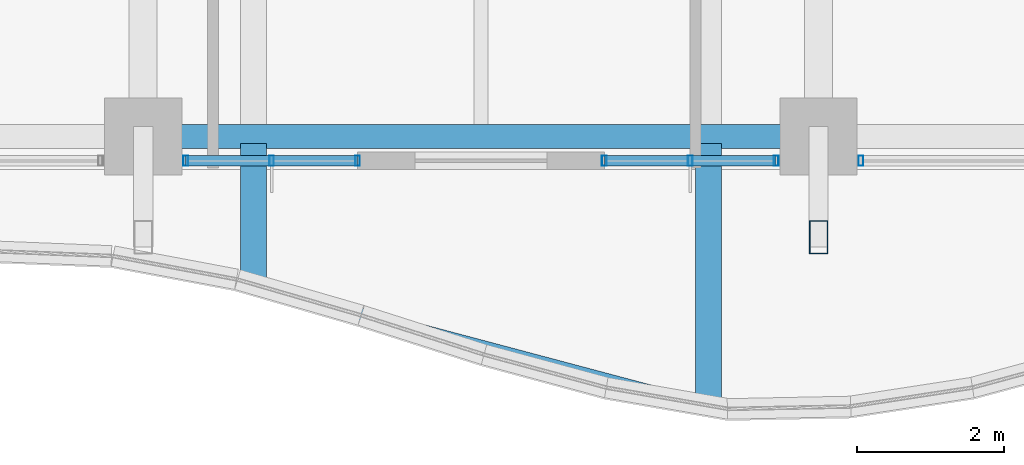
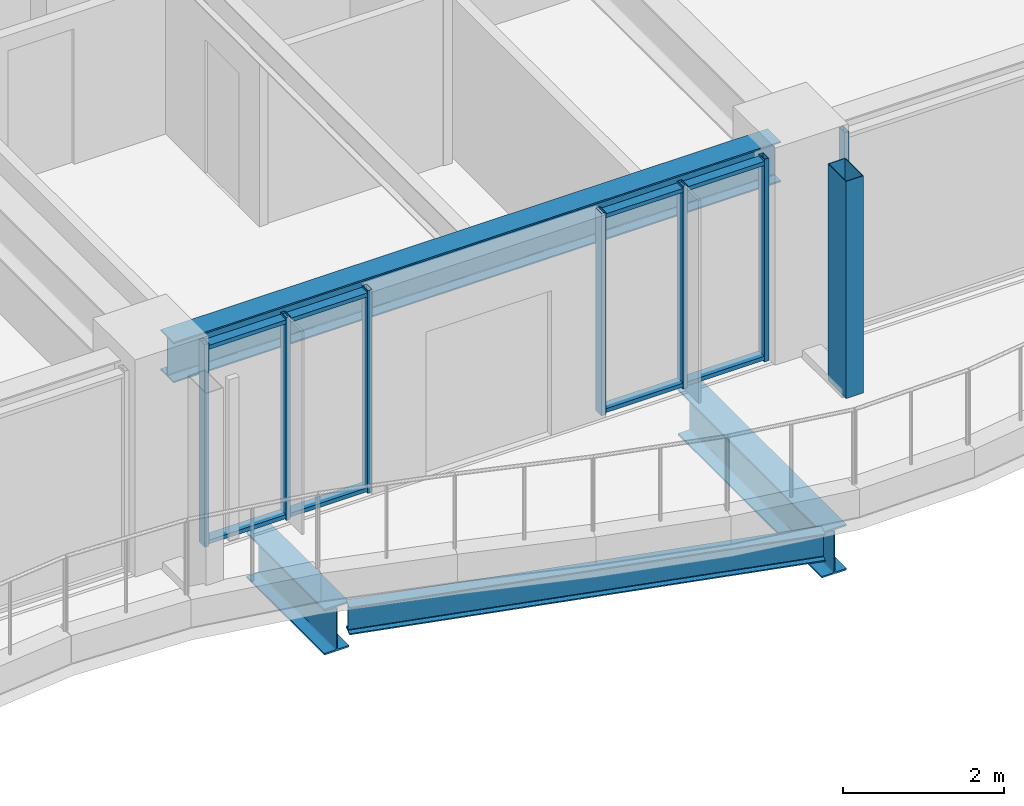
# One storey, part 5 of 38: 12 members, 4 beams, 3 elements without a shape of their own.
"""IFC4 building model written with IfcOpenShell, lengths in metres."""

from ifc_helpers import new_model, si_unit, direction, frame, origin, origin_2d, place, context, subcontext, project, spatial, hollow_rectangle, i_section, extrude, material, material_profile, profile_set, type_object, element, aggregate, save


model = new_model("IFC4")

# Units and contexts
model_context = context("Model", 3, precision=1e-05, world=origin(), true_north=direction((0.0, 1.0)))
body_context = subcontext(model_context, "Body", "Model", "MODEL_VIEW")
ifc_project = project(units=[si_unit("LENGTHUNIT", "METRE"), si_unit("AREAUNIT", "SQUARE_METRE"), si_unit("VOLUMEUNIT", "CUBIC_METRE"), si_unit("PLANEANGLEUNIT", "RADIAN"), si_unit("MASSUNIT", "GRAM", prefix="KILO")], contexts=[model_context])

# Site, building, storey
site_placement = place(None, origin())
site = spatial("IfcSite", under=ifc_project, at=site_placement, CompositionType="ELEMENT")
building_placement = place(site_placement, origin())
building = spatial("IfcBuilding", under=site, at=building_placement, Name="Kolvaren Belvedere", CompositionType="ELEMENT")
storey_placement = place(building_placement, frame((0.0, 0.0, 78.800048828125)))
storey = spatial("IfcBuildingStorey", under=building, at=storey_placement, Name="L22", CompositionType="ELEMENT", Elevation=78.800048828125)

# Beams
ifc_material_1 = material(Name="Structural steel ASTM A992 Grade 50", Category="steel")
ifc_material_profile_1 = material_profile(ifc_material_1, i_section(OverallWidth=0.35498046875, OverallDepth=0.696044921875, WebThickness=0.015380859375, FlangeThickness=0.02490234375, FilletRadius=0.02197265625, at=origin_2d()), Name="W27X146")
ifc_profile_set_1 = profile_set([ifc_material_profile_1], Name="Structural steel ASTM A992 Grade 50")
beam_type_1 = type_object("IfcBeamType", Name="BM-CANT-BAL", PredefinedType="BEAM", material=ifc_profile_set_1)
beam_1_placement = place(storey_placement, frame((-3.10009765625, -20.044921875, -0.568115234375), z_axis=(0.0, -1.0, 0.0), x_axis=(1.0, 0.0, 0.0)))
element("IfcBeam", 1, at=beam_1_placement, inside=storey, type_object=beam_type_1, Name="L22 Planted Balcony Cantilever BAL-S-1", PredefinedType="BEAM", context=body_context, shape_type="SweptSolid", body=[
    extrude(i_section(OverallWidth=0.35498046875, OverallDepth=0.696044921875, WebThickness=0.015380859375, FlangeThickness=0.02490234375, FilletRadius=0.02197265625, at=origin_2d()), origin(), (0.0, 0.0, 1.0), 1.94189453125),
])
beam_2_placement = place(storey_placement, frame((3.10009765625, -20.044921875, -0.568115234375), z_axis=(0.0, -1.0, 0.0), x_axis=(1.0, 0.0, 0.0)))
element("IfcBeam", 2, at=beam_2_placement, inside=storey, type_object=beam_type_1, Name="L22 Planted Balcony Cantilever BAL-S-2", PredefinedType="BEAM", context=body_context, shape_type="SweptSolid", body=[
    extrude(i_section(OverallWidth=0.35498046875, OverallDepth=0.696044921875, WebThickness=0.015380859375, FlangeThickness=0.02490234375, FilletRadius=0.02197265625, at=origin_2d()), origin(), (0.0, 0.0, 1.0), 3.58984375),
])
ifc_material_2 = material(Name="Structural steel ASTM A992 Grade 50", Category="steel")
ifc_material_profile_2 = material_profile(ifc_material_2, i_section(OverallWidth=0.180908203125, OverallDepth=0.4169921875, WebThickness=0.010986328125, FlangeThickness=0.018310546875, FilletRadius=0.013916015625, at=origin_2d()), Name="W16X57")
ifc_profile_set_2 = profile_set([ifc_material_profile_2], Name="Structural steel ASTM A992 Grade 50")
beam_type_2 = type_object("IfcBeamType", Name="BM-EDGE-W16X57", PredefinedType="BEAM", material=ifc_profile_set_2)
beam_3_placement = place(storey_placement, frame((-2.964599609375, -22.022705078125, -0.428466796875), z_axis=(0.966445311896, -0.256872456901, 0.0), x_axis=(0.256872456901, 0.966445311896, 0.0)))
element("IfcBeam", 3, at=beam_3_placement, inside=storey, type_object=beam_type_2, Name="L22 Balcony Tip Header Beam BAL-S", PredefinedType="BEAM", context=body_context, shape_type="SweptSolid", body=[
    extrude(i_section(OverallWidth=0.180908203125, OverallDepth=0.4169921875, WebThickness=0.010986328125, FlangeThickness=0.018310546875, FilletRadius=0.013916015625, at=origin_2d()), origin(), (0.0, 0.0, 1.0), 6.135009765625),
])
ifc_material_3 = material(Name="Structural steel ASTM A992 Grade 50", Category="steel")
ifc_material_profile_3 = material_profile(ifc_material_3, i_section(OverallWidth=0.324951171875, OverallDepth=0.615966796875, WebThickness=0.013916015625, FlangeThickness=0.021484375, FilletRadius=0.02001953125, at=origin_2d()), Name="W24X117")
ifc_profile_set_3 = profile_set([ifc_material_profile_3], Name="Structural steel ASTM A992 Grade 50")
beam_type_3 = type_object("IfcBeamType", Name="BM-SPAN-W24X117", PredefinedType="SPANDREL", material=ifc_profile_set_3)
beam_4_placement = place(storey_placement, frame((-4.36376953125, -19.949951171875, 2.77197265625), z_axis=(1.0, 0.0, 0.0), x_axis=(0.0, 1.0, 0.0)))
element("IfcBeam", 4, at=beam_4_placement, inside=storey, type_object=beam_type_3, Name="L22 Perimeter Spandrel S2-S3", PredefinedType="SPANDREL", context=body_context, shape_type="SweptSolid", body=[
    extrude(i_section(OverallWidth=0.324951171875, OverallDepth=0.615966796875, WebThickness=0.013916015625, FlangeThickness=0.021484375, FilletRadius=0.02001953125, at=origin_2d()), origin(), (0.0, 0.0, 1.0), 8.7275390625),
])

# Curtain wall, member
ifc_material_4 = material(Name="Anodised pale-metal aluminium AA 6063-T6", Category="aluminium")
curtain_wall_type = type_object("IfcCurtainWallType", Name="CW-Z2-MID", PredefinedType="NOTDEFINED", material=ifc_material_4)
curtain_wall_1_placement = place(storey_placement, origin())
curtain_wall_1 = element("IfcCurtainWall", 5, at=curtain_wall_1_placement, inside=storey, type_object=curtain_wall_type, Name="L22 Unitised Curtain Wall FCW-L22-S1-B1", PredefinedType="NOTDEFINED")
ifc_material_5 = material(Name="Anodised pale-metal aluminium AA 6063-T6", Category="aluminium")
ifc_material_profile_4 = material_profile(ifc_material_5, hollow_rectangle(XDim=0.06494140625, YDim=0.139892578125, WallThickness=0.00390625, at=origin_2d()), Name="ALU-MUL-140X65")
ifc_profile_set_4 = profile_set([ifc_material_profile_4], Name="Anodised pale-metal aluminium AA 6063-T6")
member_type_1 = type_object("IfcMemberType", Name="CW-MUL-140", PredefinedType="MULLION", material=ifc_profile_set_4)
member_1_placement = place(storey_placement, frame((5.177490234375, -20.280029296875, 0.0), z_axis=(0.0, 0.0, 1.0), x_axis=(1.0, 0.0, 0.0)))
member_1 = element("IfcMember", 6, at=member_1_placement, type_object=member_type_1, Name="FCW-L22-S1-B1 Unitised Mullion 3", PredefinedType="MULLION", context=body_context, shape_type="SweptSolid", body=[
    extrude(hollow_rectangle(XDim=0.06494140625, YDim=0.139892578125, WallThickness=0.00390625, at=origin_2d()), origin(), (0.0, 0.0, 1.0), 3.079833984375),
])
aggregate(curtain_wall_1, [member_1])

# Curtain wall, members
curtain_wall_2_placement = place(storey_placement, origin())
curtain_wall_2 = element("IfcCurtainWall", 7, at=curtain_wall_2_placement, inside=storey, type_object=curtain_wall_type, Name="L22 Unitised Curtain Wall FCW-L22-S1-B2", PredefinedType="NOTDEFINED")
member_2_placement = place(storey_placement, frame((4.0224609375, -20.280029296875, 0.0), z_axis=(0.0, 0.0, 1.0), x_axis=(1.0, 0.0, 0.0)))
member_2 = element("IfcMember", 8, at=member_2_placement, type_object=member_type_1, Name="FCW-L22-S1-B2 Unitised Mullion 1", PredefinedType="MULLION", context=body_context, shape_type="SweptSolid", body=[
    extrude(hollow_rectangle(XDim=0.06494140625, YDim=0.139892578125, WallThickness=0.00390625, at=origin_2d()), origin(), (0.0, 0.0, 1.0), 3.079833984375),
])
member_3_placement = place(storey_placement, frame((2.851318359375, -20.280029296875, 0.0), z_axis=(0.0, 0.0, 1.0), x_axis=(1.0, 0.0, 0.0)))
member_3 = element("IfcMember", 9, at=member_3_placement, type_object=member_type_1, Name="FCW-L22-S1-B2 Unitised Mullion 2", PredefinedType="MULLION", context=body_context, shape_type="SweptSolid", body=[
    extrude(hollow_rectangle(XDim=0.06494140625, YDim=0.139892578125, WallThickness=0.00390625, at=origin_2d()), origin(), (0.0, 0.0, 1.0), 3.079833984375),
])
member_4_placement = place(storey_placement, frame((1.679931640625, -20.280029296875, 0.0), z_axis=(0.0, 0.0, 1.0), x_axis=(1.0, 0.0, 0.0)))
member_4 = element("IfcMember", 10, at=member_4_placement, type_object=member_type_1, Name="FCW-L22-S1-B2 Unitised Mullion 3", PredefinedType="MULLION", context=body_context, shape_type="SweptSolid", body=[
    extrude(hollow_rectangle(XDim=0.06494140625, YDim=0.139892578125, WallThickness=0.00390625, at=origin_2d()), origin(), (0.0, 0.0, 1.0), 3.079833984375),
])

curtain_wall_3_placement = place(storey_placement, origin())
curtain_wall_3 = element("IfcCurtainWall", 11, at=curtain_wall_3_placement, inside=storey, type_object=curtain_wall_type, Name="L22 Unitised Curtain Wall FCW-L22-S2-B1", PredefinedType="NOTDEFINED")
member_5_placement = place(storey_placement, frame((-1.679931640625, -20.280029296875, 0.0), z_axis=(0.0, 0.0, 1.0), x_axis=(1.0, 0.0, 0.0)))
member_5 = element("IfcMember", 12, at=member_5_placement, type_object=member_type_1, Name="FCW-L22-S2-B1 Unitised Mullion 1", PredefinedType="MULLION", context=body_context, shape_type="SweptSolid", body=[
    extrude(hollow_rectangle(XDim=0.06494140625, YDim=0.139892578125, WallThickness=0.00390625, at=origin_2d()), origin(), (0.0, 0.0, 1.0), 3.079833984375),
])
member_6_placement = place(storey_placement, frame((-2.851318359375, -20.280029296875, 0.0), z_axis=(0.0, 0.0, 1.0), x_axis=(1.0, 0.0, 0.0)))
member_6 = element("IfcMember", 13, at=member_6_placement, type_object=member_type_1, Name="FCW-L22-S2-B1 Unitised Mullion 2", PredefinedType="MULLION", context=body_context, shape_type="SweptSolid", body=[
    extrude(hollow_rectangle(XDim=0.06494140625, YDim=0.139892578125, WallThickness=0.00390625, at=origin_2d()), origin(), (0.0, 0.0, 1.0), 3.079833984375),
])
member_7_placement = place(storey_placement, frame((-4.0224609375, -20.280029296875, 0.0), z_axis=(0.0, 0.0, 1.0), x_axis=(1.0, 0.0, 0.0)))
member_7 = element("IfcMember", 14, at=member_7_placement, type_object=member_type_1, Name="FCW-L22-S2-B1 Unitised Mullion 3", PredefinedType="MULLION", context=body_context, shape_type="SweptSolid", body=[
    extrude(hollow_rectangle(XDim=0.06494140625, YDim=0.139892578125, WallThickness=0.00390625, at=origin_2d()), origin(), (0.0, 0.0, 1.0), 3.079833984375),
])

# Member
ifc_material_6 = material(Name="Anodised pale-metal aluminium AA 6063-T6", Category="aluminium")
ifc_material_profile_5 = material_profile(ifc_material_6, hollow_rectangle(XDim=0.06005859375, YDim=0.139892578125, WallThickness=0.00390625, at=origin_2d()), Name="ALU-TRN-140X60")
ifc_profile_set_5 = profile_set([ifc_material_profile_5], Name="Anodised pale-metal aluminium AA 6063-T6")
member_type_2 = type_object("IfcMemberType", Name="CW-TRN-140", PredefinedType="USERDEFINED", material=ifc_profile_set_5)
member_8_placement = place(storey_placement, frame((4.0224609375, -20.280029296875, 0.06005859375), z_axis=(-1.0, 0.0, 0.0), x_axis=(0.0, 0.0, 1.0)))
member_8 = element("IfcMember", 15, at=member_8_placement, type_object=member_type_2, Name="FCW-L22-S1-B2 Sill Transom", ObjectType="TRANSOM", PredefinedType="USERDEFINED", context=body_context, shape_type="SweptSolid", body=[
    extrude(hollow_rectangle(XDim=0.06005859375, YDim=0.139892578125, WallThickness=0.00390625, at=origin_2d()), origin(), (0.0, 0.0, 1.0), 2.342529296875),
])

member_9_placement = place(storey_placement, frame((4.0224609375, -20.280029296875, 3.02001953125), z_axis=(-1.0, 0.0, 0.0), x_axis=(0.0, 0.0, 1.0)))
member_9 = element("IfcMember", 16, at=member_9_placement, type_object=member_type_2, Name="FCW-L22-S1-B2 Head Transom", ObjectType="TRANSOM", PredefinedType="USERDEFINED", context=body_context, shape_type="SweptSolid", body=[
    extrude(hollow_rectangle(XDim=0.06005859375, YDim=0.139892578125, WallThickness=0.00390625, at=origin_2d()), origin(), (0.0, 0.0, 1.0), 2.342529296875),
])

aggregate(curtain_wall_2, [member_2, member_3, member_4, member_8, member_9])

member_10_placement = place(storey_placement, frame((-1.679931640625, -20.280029296875, 0.06005859375), z_axis=(-1.0, 0.0, 0.0), x_axis=(0.0, 0.0, 1.0)))
member_10 = element("IfcMember", 17, at=member_10_placement, type_object=member_type_2, Name="FCW-L22-S2-B1 Sill Transom", ObjectType="TRANSOM", PredefinedType="USERDEFINED", context=body_context, shape_type="SweptSolid", body=[
    extrude(hollow_rectangle(XDim=0.06005859375, YDim=0.139892578125, WallThickness=0.00390625, at=origin_2d()), origin(), (0.0, 0.0, 1.0), 2.342529296875),
])

member_11_placement = place(storey_placement, frame((-1.679931640625, -20.280029296875, 3.02001953125), z_axis=(-1.0, 0.0, 0.0), x_axis=(0.0, 0.0, 1.0)))
member_11 = element("IfcMember", 18, at=member_11_placement, type_object=member_type_2, Name="FCW-L22-S2-B1 Head Transom", ObjectType="TRANSOM", PredefinedType="USERDEFINED", context=body_context, shape_type="SweptSolid", body=[
    extrude(hollow_rectangle(XDim=0.06005859375, YDim=0.139892578125, WallThickness=0.00390625, at=origin_2d()), origin(), (0.0, 0.0, 1.0), 2.342529296875),
])

aggregate(curtain_wall_3, [member_5, member_6, member_7, member_10, member_11])

ifc_material_7 = material(Name="Anodised pale-metal aluminium AA 6063-T6", Category="aluminium")
ifc_material_profile_6 = material_profile(ifc_material_7, hollow_rectangle(XDim=0.25, YDim=0.449951171875, WallThickness=0.008544921875, at=origin_2d()), Name="ALU-PF-450X250")
ifc_profile_set_6 = profile_set([ifc_material_profile_6], Name="Anodised pale-metal aluminium AA 6063-T6")
member_type_3 = type_object("IfcMemberType", Name="PF-FRAME-450", PredefinedType="USERDEFINED", material=ifc_profile_set_6)
member_12_placement = place(storey_placement, frame((4.60009765625, -21.320068359375, 0.0), z_axis=(0.0, 0.0, 1.0), x_axis=(1.0, 0.0, 0.0)))
element("IfcMember", 19, at=member_12_placement, inside=storey, type_object=member_type_3, Name="L22 Outboard Picture-Frame Vertical S1", ObjectType="PICTURE FRAME FIN", PredefinedType="USERDEFINED", context=body_context, shape_type="SweptSolid", body=[
    extrude(hollow_rectangle(XDim=0.25, YDim=0.449951171875, WallThickness=0.008544921875, at=origin_2d()), origin(), (0.0, 0.0, 1.0), 3.300048828125),
])

save(model, "model.ifc")
